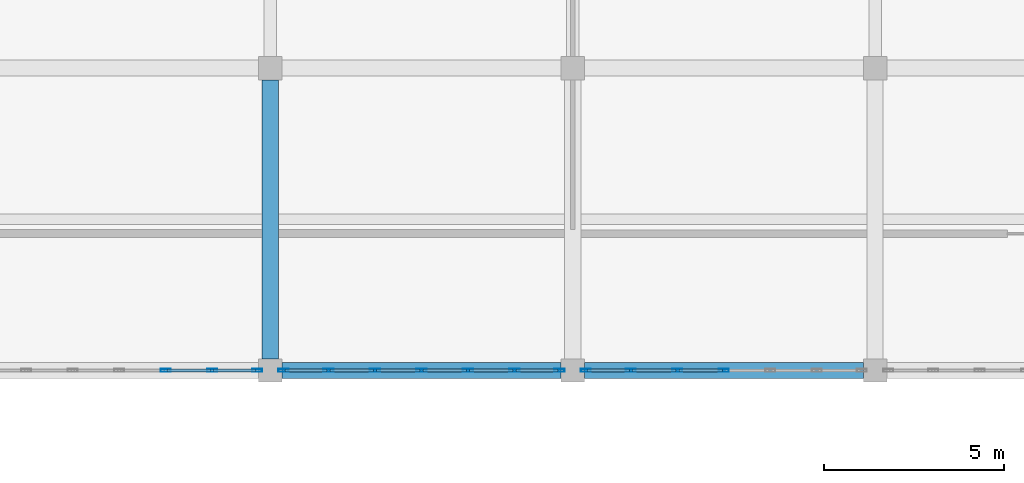
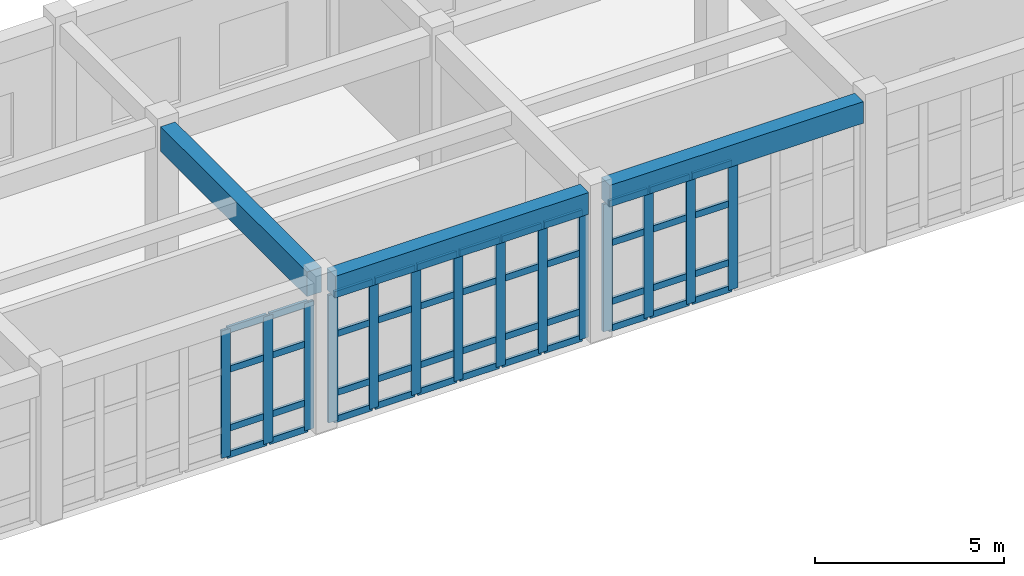
# One storey, part 35 of 80: 58 members, 3 beams, 3 elements without a shape of their own.
"""IFC4 building model written with IfcOpenShell, lengths in metres."""

from ifc_helpers import new_model, si_unit, direction, frame, origin, origin_2d, place, context, subcontext, project, spatial, rectangle, hollow_rectangle, extrude, material, layer, layer_set, material_profile, profile_set, type_object, element, aggregate, save


model = new_model("IFC4")

# Units and contexts
model_context = context("Model", 3, precision=1e-05, world=origin(), true_north=direction((0.0, 1.0)))
body_context = subcontext(model_context, "Body", "Model", "MODEL_VIEW")
ifc_project = project(units=[si_unit("LENGTHUNIT", "METRE"), si_unit("AREAUNIT", "SQUARE_METRE"), si_unit("VOLUMEUNIT", "CUBIC_METRE"), si_unit("PLANEANGLEUNIT", "RADIAN"), si_unit("MASSUNIT", "GRAM", prefix="KILO")], contexts=[model_context])

# Site, building, storey
site_placement = place(None, origin())
site = spatial("IfcSite", under=ifc_project, at=site_placement, CompositionType="ELEMENT")
building_placement = place(site_placement, origin())
building = spatial("IfcBuilding", under=site, at=building_placement, Name="Krzemoval Escarpment Law Courts", CompositionType="ELEMENT")
storey_placement = place(building_placement, origin())
storey = spatial("IfcBuildingStorey", under=building, at=storey_placement, Name="L00", CompositionType="ELEMENT", Elevation=0.0)

# Beams
ifc_material_1 = material(Name="Concrete C40/50", Category="concrete")
ifc_material_profile_1 = material_profile(ifc_material_1, rectangle(XDim=0.449951171875, YDim=0.699951171875, at=origin_2d()), Name="RCB 450x700")
ifc_profile_set_1 = profile_set([ifc_material_profile_1], Name="Concrete C40/50")
beam_type_1 = type_object("IfcBeamType", Name="BM-RC-450x700", PredefinedType="BEAM", material=ifc_profile_set_1)
for number, where, z_axis, x_axis, name in (
    (1, (67.52490234375, 99.60009765625, 4.469970703125), (1.0, 0.0, 0.0), (0.0, 1.0, 0.0), "Beam FG-L00-0749"),
    (2, (75.925048828125, 99.60009765625, 4.469970703125), (1.0, 0.0, 0.0), (0.0, 1.0, 0.0), "Beam FG-L00-0750"),
):
    element("IfcBeam", number, at=place(storey_placement, frame(where, z_axis=z_axis, x_axis=x_axis)), inside=storey, type_object=beam_type_1, Name=name, PredefinedType="BEAM", context=body_context, shape_type="SweptSolid", body=[
        extrude(rectangle(XDim=0.449951171875, YDim=0.699951171875, at=origin_2d()), origin(), (0.0, 0.0, 1.0), 7.75),
    ])
ifc_material_2 = material(Name="Concrete C40/50", Category="concrete")
ifc_material_profile_2 = material_profile(ifc_material_2, rectangle(XDim=0.449951171875, YDim=0.800048828125, at=origin_2d()), Name="RCB 450x800")
ifc_profile_set_2 = profile_set([ifc_material_profile_2], Name="Concrete C40/50")
beam_type_2 = type_object("IfcBeamType", Name="BM-RC-450x800", PredefinedType="BEAM", material=ifc_profile_set_2)
beam_placement = place(storey_placement, frame((67.199951171875, 99.925048828125, 4.419921875), z_axis=(0.0, 1.0, 0.0), x_axis=(-1.0, 0.0, 0.0)))
element("IfcBeam", 3, at=beam_placement, inside=storey, type_object=beam_type_2, Name="Beam FG-L00-0910", PredefinedType="BEAM", context=body_context, shape_type="SweptSolid", body=[
    extrude(rectangle(XDim=0.449951171875, YDim=0.800048828125, at=origin_2d()), origin(), (0.0, 0.0, 1.0), 7.75),
])

# Curtain wall, members
ifc_material_3 = material(Name="Aluminium 6063-T6", Category="aluminium")
ifc_layer = layer(ifc_material_3, 0.280029296875)
ifc_layer_set = layer_set([ifc_layer], Name="Aluminium 6063-T6")
curtain_wall_type = type_object("IfcCurtainWallType", Name="CW-HALL-5100", PredefinedType="USERDEFINED", material=ifc_layer_set)
curtain_wall_1_placement = place(storey_placement, origin())
curtain_wall_1 = element("IfcCurtainWall", 4, at=curtain_wall_1_placement, inside=storey, type_object=curtain_wall_type, Name="Unitised Curtain Wall FCW-L00-010", ObjectType="UNITISED_CURTAIN_WALL", PredefinedType="USERDEFINED")
ifc_material_4 = material(Name="Aluminium 6063-T6", Category="aluminium")
ifc_material_profile_3 = material_profile(ifc_material_4, hollow_rectangle(XDim=0.0849609375, YDim=0.280029296875, WallThickness=0.005615234375, at=origin_2d()), Name="ALU M85x280")
ifc_profile_set_3 = profile_set([ifc_material_profile_3], Name="Aluminium 6063-T6")
member_type_1 = type_object("IfcMemberType", Name="CWM-85x280", PredefinedType="MULLION", material=ifc_profile_set_3)
member_1_placement = place(storey_placement, frame((79.800048828125, 99.60009765625, 0.0), z_axis=(0.0, 0.0, 1.0), x_axis=(0.0, -1.0, 0.0)))
member_1 = element("IfcMember", 5, at=member_1_placement, type_object=member_type_1, Name="FCW-L00-010 mullion 4", PredefinedType="MULLION", context=body_context, shape_type="SweptSolid", body=[
    extrude(hollow_rectangle(XDim=0.0849609375, YDim=0.280029296875, WallThickness=0.005615234375, at=origin_2d()), origin(), (0.0, 0.0, 1.0), 4.1201171875),
])
member_2_placement = place(storey_placement, frame((78.50830078125, 99.60009765625, 0.0), z_axis=(0.0, 0.0, 1.0), x_axis=(0.0, -1.0, 0.0)))
member_2 = element("IfcMember", 6, at=member_2_placement, type_object=member_type_1, Name="FCW-L00-010 mullion 5", PredefinedType="MULLION", context=body_context, shape_type="SweptSolid", body=[
    extrude(hollow_rectangle(XDim=0.0849609375, YDim=0.280029296875, WallThickness=0.005615234375, at=origin_2d()), origin(), (0.0, 0.0, 1.0), 4.1201171875),
])
member_3_placement = place(storey_placement, frame((77.216552734375, 99.60009765625, 0.0), z_axis=(0.0, 0.0, 1.0), x_axis=(0.0, -1.0, 0.0)))
member_3 = element("IfcMember", 7, at=member_3_placement, type_object=member_type_1, Name="FCW-L00-010 mullion 6", PredefinedType="MULLION", context=body_context, shape_type="SweptSolid", body=[
    extrude(hollow_rectangle(XDim=0.0849609375, YDim=0.280029296875, WallThickness=0.005615234375, at=origin_2d()), origin(), (0.0, 0.0, 1.0), 4.1201171875),
])
member_4_placement = place(storey_placement, frame((75.967529296875, 99.60009765625, 0.0), z_axis=(0.0, 0.0, 1.0), x_axis=(0.0, -1.0, 0.0)))
member_4 = element("IfcMember", 8, at=member_4_placement, type_object=member_type_1, Name="FCW-L00-010 mullion 7", PredefinedType="MULLION", context=body_context, shape_type="SweptSolid", body=[
    extrude(hollow_rectangle(XDim=0.0849609375, YDim=0.280029296875, WallThickness=0.005615234375, at=origin_2d()), origin(), (0.0, 0.0, 1.0), 4.1201171875),
])

curtain_wall_2_placement = place(storey_placement, origin())
curtain_wall_2 = element("IfcCurtainWall", 9, at=curtain_wall_2_placement, inside=storey, type_object=curtain_wall_type, Name="Unitised Curtain Wall FCW-L00-011", ObjectType="UNITISED_CURTAIN_WALL", PredefinedType="USERDEFINED")
member_5_placement = place(storey_placement, frame((75.232421875, 99.60009765625, 0.0), z_axis=(0.0, 0.0, 1.0), x_axis=(0.0, -1.0, 0.0)))
member_5 = element("IfcMember", 10, at=member_5_placement, type_object=member_type_1, Name="FCW-L00-011 mullion 1", PredefinedType="MULLION", context=body_context, shape_type="SweptSolid", body=[
    extrude(hollow_rectangle(XDim=0.0849609375, YDim=0.280029296875, WallThickness=0.005615234375, at=origin_2d()), origin(), (0.0, 0.0, 1.0), 4.1201171875),
])
member_6_placement = place(storey_placement, frame((73.9833984375, 99.60009765625, 0.0), z_axis=(0.0, 0.0, 1.0), x_axis=(0.0, -1.0, 0.0)))
member_6 = element("IfcMember", 11, at=member_6_placement, type_object=member_type_1, Name="FCW-L00-011 mullion 2", PredefinedType="MULLION", context=body_context, shape_type="SweptSolid", body=[
    extrude(hollow_rectangle(XDim=0.0849609375, YDim=0.280029296875, WallThickness=0.005615234375, at=origin_2d()), origin(), (0.0, 0.0, 1.0), 4.1201171875),
])
member_7_placement = place(storey_placement, frame((72.691650390625, 99.60009765625, 0.0), z_axis=(0.0, 0.0, 1.0), x_axis=(0.0, -1.0, 0.0)))
member_7 = element("IfcMember", 12, at=member_7_placement, type_object=member_type_1, Name="FCW-L00-011 mullion 3", PredefinedType="MULLION", context=body_context, shape_type="SweptSolid", body=[
    extrude(hollow_rectangle(XDim=0.0849609375, YDim=0.280029296875, WallThickness=0.005615234375, at=origin_2d()), origin(), (0.0, 0.0, 1.0), 4.1201171875),
])
member_8_placement = place(storey_placement, frame((71.39990234375, 99.60009765625, 0.0), z_axis=(0.0, 0.0, 1.0), x_axis=(0.0, -1.0, 0.0)))
member_8 = element("IfcMember", 13, at=member_8_placement, type_object=member_type_1, Name="FCW-L00-011 mullion 4", PredefinedType="MULLION", context=body_context, shape_type="SweptSolid", body=[
    extrude(hollow_rectangle(XDim=0.0849609375, YDim=0.280029296875, WallThickness=0.005615234375, at=origin_2d()), origin(), (0.0, 0.0, 1.0), 4.1201171875),
])
member_9_placement = place(storey_placement, frame((70.1083984375, 99.60009765625, 0.0), z_axis=(0.0, 0.0, 1.0), x_axis=(0.0, -1.0, 0.0)))
member_9 = element("IfcMember", 14, at=member_9_placement, type_object=member_type_1, Name="FCW-L00-011 mullion 5", PredefinedType="MULLION", context=body_context, shape_type="SweptSolid", body=[
    extrude(hollow_rectangle(XDim=0.0849609375, YDim=0.280029296875, WallThickness=0.005615234375, at=origin_2d()), origin(), (0.0, 0.0, 1.0), 4.1201171875),
])
member_10_placement = place(storey_placement, frame((68.816650390625, 99.60009765625, 0.0), z_axis=(0.0, 0.0, 1.0), x_axis=(0.0, -1.0, 0.0)))
member_10 = element("IfcMember", 15, at=member_10_placement, type_object=member_type_1, Name="FCW-L00-011 mullion 6", PredefinedType="MULLION", context=body_context, shape_type="SweptSolid", body=[
    extrude(hollow_rectangle(XDim=0.0849609375, YDim=0.280029296875, WallThickness=0.005615234375, at=origin_2d()), origin(), (0.0, 0.0, 1.0), 4.1201171875),
])
member_11_placement = place(storey_placement, frame((67.5673828125, 99.60009765625, 0.0), z_axis=(0.0, 0.0, 1.0), x_axis=(0.0, -1.0, 0.0)))
member_11 = element("IfcMember", 16, at=member_11_placement, type_object=member_type_1, Name="FCW-L00-011 mullion 7", PredefinedType="MULLION", context=body_context, shape_type="SweptSolid", body=[
    extrude(hollow_rectangle(XDim=0.0849609375, YDim=0.280029296875, WallThickness=0.005615234375, at=origin_2d()), origin(), (0.0, 0.0, 1.0), 4.1201171875),
])

curtain_wall_3_placement = place(storey_placement, origin())
curtain_wall_3 = element("IfcCurtainWall", 17, at=curtain_wall_3_placement, inside=storey, type_object=curtain_wall_type, Name="Unitised Curtain Wall FCW-L00-012", ObjectType="UNITISED_CURTAIN_WALL", PredefinedType="USERDEFINED")
member_12_placement = place(storey_placement, frame((66.83251953125, 99.60009765625, 0.0), z_axis=(0.0, 0.0, 1.0), x_axis=(0.0, -1.0, 0.0)))
member_12 = element("IfcMember", 18, at=member_12_placement, type_object=member_type_1, Name="FCW-L00-012 mullion 1", PredefinedType="MULLION", context=body_context, shape_type="SweptSolid", body=[
    extrude(hollow_rectangle(XDim=0.0849609375, YDim=0.280029296875, WallThickness=0.005615234375, at=origin_2d()), origin(), (0.0, 0.0, 1.0), 4.1201171875),
])
member_13_placement = place(storey_placement, frame((65.583251953125, 99.60009765625, 0.0), z_axis=(0.0, 0.0, 1.0), x_axis=(0.0, -1.0, 0.0)))
member_13 = element("IfcMember", 19, at=member_13_placement, type_object=member_type_1, Name="FCW-L00-012 mullion 2", PredefinedType="MULLION", context=body_context, shape_type="SweptSolid", body=[
    extrude(hollow_rectangle(XDim=0.0849609375, YDim=0.280029296875, WallThickness=0.005615234375, at=origin_2d()), origin(), (0.0, 0.0, 1.0), 4.1201171875),
])
member_14_placement = place(storey_placement, frame((64.291748046875, 99.60009765625, 0.0), z_axis=(0.0, 0.0, 1.0), x_axis=(0.0, -1.0, 0.0)))
member_14 = element("IfcMember", 20, at=member_14_placement, type_object=member_type_1, Name="FCW-L00-012 mullion 3", PredefinedType="MULLION", context=body_context, shape_type="SweptSolid", body=[
    extrude(hollow_rectangle(XDim=0.0849609375, YDim=0.280029296875, WallThickness=0.005615234375, at=origin_2d()), origin(), (0.0, 0.0, 1.0), 4.1201171875),
])

# Member
ifc_material_5 = material(Name="Aluminium 6063-T6", Category="aluminium")
ifc_material_profile_4 = material_profile(ifc_material_5, hollow_rectangle(XDim=0.0849609375, YDim=0.2099609375, WallThickness=0.005615234375, at=origin_2d()), Name="ALU T85x210")
ifc_profile_set_4 = profile_set([ifc_material_profile_4], Name="Aluminium 6063-T6")
member_type_2 = type_object("IfcMemberType", Name="CWT-85x210", PredefinedType="USERDEFINED", material=ifc_profile_set_4)
member_15_placement = place(storey_placement, frame((79.757568359375, 99.60009765625, 0.04248046875), z_axis=(-1.0, 0.0, 0.0), x_axis=(0.0, -1.0, 0.0)))
member_15 = element("IfcMember", 21, at=member_15_placement, type_object=member_type_2, Name="FCW-L00-010 transom 4.1", ObjectType="TRANSOM", PredefinedType="USERDEFINED", context=body_context, shape_type="SweptSolid", body=[
    extrude(hollow_rectangle(XDim=0.0849609375, YDim=0.2099609375, WallThickness=0.005615234375, at=origin_2d()), origin(), (0.0, 0.0, 1.0), 1.206787109375),
])

member_16_placement = place(storey_placement, frame((79.757568359375, 99.60009765625, 0.89990234375), z_axis=(-1.0, 0.0, 0.0), x_axis=(0.0, -1.0, 0.0)))
member_16 = element("IfcMember", 22, at=member_16_placement, type_object=member_type_2, Name="FCW-L00-010 transom 4.2", ObjectType="TRANSOM", PredefinedType="USERDEFINED", context=body_context, shape_type="SweptSolid", body=[
    extrude(hollow_rectangle(XDim=0.0849609375, YDim=0.2099609375, WallThickness=0.005615234375, at=origin_2d()), origin(), (0.0, 0.0, 1.0), 1.206787109375),
])

member_17_placement = place(storey_placement, frame((79.757568359375, 99.60009765625, 2.800048828125), z_axis=(-1.0, 0.0, 0.0), x_axis=(0.0, -1.0, 0.0)))
member_17 = element("IfcMember", 23, at=member_17_placement, type_object=member_type_2, Name="FCW-L00-010 transom 4.3", ObjectType="TRANSOM", PredefinedType="USERDEFINED", context=body_context, shape_type="SweptSolid", body=[
    extrude(hollow_rectangle(XDim=0.0849609375, YDim=0.2099609375, WallThickness=0.005615234375, at=origin_2d()), origin(), (0.0, 0.0, 1.0), 1.206787109375),
])

member_18_placement = place(storey_placement, frame((79.757568359375, 99.60009765625, 4.077392578125), z_axis=(-1.0, 0.0, 0.0), x_axis=(0.0, -1.0, 0.0)))
member_18 = element("IfcMember", 24, at=member_18_placement, type_object=member_type_2, Name="FCW-L00-010 transom 4.4", ObjectType="TRANSOM", PredefinedType="USERDEFINED", context=body_context, shape_type="SweptSolid", body=[
    extrude(hollow_rectangle(XDim=0.0849609375, YDim=0.2099609375, WallThickness=0.005615234375, at=origin_2d()), origin(), (0.0, 0.0, 1.0), 1.206787109375),
])

member_19_placement = place(storey_placement, frame((78.4658203125, 99.60009765625, 0.04248046875), z_axis=(-1.0, 0.0, 0.0), x_axis=(0.0, -1.0, 0.0)))
member_19 = element("IfcMember", 25, at=member_19_placement, type_object=member_type_2, Name="FCW-L00-010 transom 5.1", ObjectType="TRANSOM", PredefinedType="USERDEFINED", context=body_context, shape_type="SweptSolid", body=[
    extrude(hollow_rectangle(XDim=0.0849609375, YDim=0.2099609375, WallThickness=0.005615234375, at=origin_2d()), origin(), (0.0, 0.0, 1.0), 1.20654296875),
])

member_20_placement = place(storey_placement, frame((78.4658203125, 99.60009765625, 0.89990234375), z_axis=(-1.0, 0.0, 0.0), x_axis=(0.0, -1.0, 0.0)))
member_20 = element("IfcMember", 26, at=member_20_placement, type_object=member_type_2, Name="FCW-L00-010 transom 5.2", ObjectType="TRANSOM", PredefinedType="USERDEFINED", context=body_context, shape_type="SweptSolid", body=[
    extrude(hollow_rectangle(XDim=0.0849609375, YDim=0.2099609375, WallThickness=0.005615234375, at=origin_2d()), origin(), (0.0, 0.0, 1.0), 1.20654296875),
])

member_21_placement = place(storey_placement, frame((78.4658203125, 99.60009765625, 2.800048828125), z_axis=(-1.0, 0.0, 0.0), x_axis=(0.0, -1.0, 0.0)))
member_21 = element("IfcMember", 27, at=member_21_placement, type_object=member_type_2, Name="FCW-L00-010 transom 5.3", ObjectType="TRANSOM", PredefinedType="USERDEFINED", context=body_context, shape_type="SweptSolid", body=[
    extrude(hollow_rectangle(XDim=0.0849609375, YDim=0.2099609375, WallThickness=0.005615234375, at=origin_2d()), origin(), (0.0, 0.0, 1.0), 1.20654296875),
])

member_22_placement = place(storey_placement, frame((78.4658203125, 99.60009765625, 4.077392578125), z_axis=(-1.0, 0.0, 0.0), x_axis=(0.0, -1.0, 0.0)))
member_22 = element("IfcMember", 28, at=member_22_placement, type_object=member_type_2, Name="FCW-L00-010 transom 5.4", ObjectType="TRANSOM", PredefinedType="USERDEFINED", context=body_context, shape_type="SweptSolid", body=[
    extrude(hollow_rectangle(XDim=0.0849609375, YDim=0.2099609375, WallThickness=0.005615234375, at=origin_2d()), origin(), (0.0, 0.0, 1.0), 1.20654296875),
])

member_23_placement = place(storey_placement, frame((77.174072265625, 99.60009765625, 0.04248046875), z_axis=(-1.0, 0.0, 0.0), x_axis=(0.0, -1.0, 0.0)))
member_23 = element("IfcMember", 29, at=member_23_placement, type_object=member_type_2, Name="FCW-L00-010 transom 6.1", ObjectType="TRANSOM", PredefinedType="USERDEFINED", context=body_context, shape_type="SweptSolid", body=[
    extrude(hollow_rectangle(XDim=0.0849609375, YDim=0.2099609375, WallThickness=0.005615234375, at=origin_2d()), origin(), (0.0, 0.0, 1.0), 1.1640625),
])

member_24_placement = place(storey_placement, frame((77.174072265625, 99.60009765625, 0.89990234375), z_axis=(-1.0, 0.0, 0.0), x_axis=(0.0, -1.0, 0.0)))
member_24 = element("IfcMember", 30, at=member_24_placement, type_object=member_type_2, Name="FCW-L00-010 transom 6.2", ObjectType="TRANSOM", PredefinedType="USERDEFINED", context=body_context, shape_type="SweptSolid", body=[
    extrude(hollow_rectangle(XDim=0.0849609375, YDim=0.2099609375, WallThickness=0.005615234375, at=origin_2d()), origin(), (0.0, 0.0, 1.0), 1.1640625),
])

member_25_placement = place(storey_placement, frame((77.174072265625, 99.60009765625, 2.800048828125), z_axis=(-1.0, 0.0, 0.0), x_axis=(0.0, -1.0, 0.0)))
member_25 = element("IfcMember", 31, at=member_25_placement, type_object=member_type_2, Name="FCW-L00-010 transom 6.3", ObjectType="TRANSOM", PredefinedType="USERDEFINED", context=body_context, shape_type="SweptSolid", body=[
    extrude(hollow_rectangle(XDim=0.0849609375, YDim=0.2099609375, WallThickness=0.005615234375, at=origin_2d()), origin(), (0.0, 0.0, 1.0), 1.1640625),
])

member_26_placement = place(storey_placement, frame((77.174072265625, 99.60009765625, 4.077392578125), z_axis=(-1.0, 0.0, 0.0), x_axis=(0.0, -1.0, 0.0)))
member_26 = element("IfcMember", 32, at=member_26_placement, type_object=member_type_2, Name="FCW-L00-010 transom 6.4", ObjectType="TRANSOM", PredefinedType="USERDEFINED", context=body_context, shape_type="SweptSolid", body=[
    extrude(hollow_rectangle(XDim=0.0849609375, YDim=0.2099609375, WallThickness=0.005615234375, at=origin_2d()), origin(), (0.0, 0.0, 1.0), 1.1640625),
])

aggregate(curtain_wall_1, [member_1, member_2, member_3, member_4, member_15, member_16, member_17, member_18, member_19, member_20, member_21, member_22, member_23, member_24, member_25, member_26])

member_27_placement = place(storey_placement, frame((75.18994140625, 99.60009765625, 0.04248046875), z_axis=(-1.0, 0.0, 0.0), x_axis=(0.0, -1.0, 0.0)))
member_27 = element("IfcMember", 33, at=member_27_placement, type_object=member_type_2, Name="FCW-L00-011 transom 1.1", ObjectType="TRANSOM", PredefinedType="USERDEFINED", context=body_context, shape_type="SweptSolid", body=[
    extrude(hollow_rectangle(XDim=0.0849609375, YDim=0.2099609375, WallThickness=0.005615234375, at=origin_2d()), origin(), (0.0, 0.0, 1.0), 1.1640625),
])

member_28_placement = place(storey_placement, frame((75.18994140625, 99.60009765625, 0.89990234375), z_axis=(-1.0, 0.0, 0.0), x_axis=(0.0, -1.0, 0.0)))
member_28 = element("IfcMember", 34, at=member_28_placement, type_object=member_type_2, Name="FCW-L00-011 transom 1.2", ObjectType="TRANSOM", PredefinedType="USERDEFINED", context=body_context, shape_type="SweptSolid", body=[
    extrude(hollow_rectangle(XDim=0.0849609375, YDim=0.2099609375, WallThickness=0.005615234375, at=origin_2d()), origin(), (0.0, 0.0, 1.0), 1.1640625),
])

member_29_placement = place(storey_placement, frame((75.18994140625, 99.60009765625, 2.800048828125), z_axis=(-1.0, 0.0, 0.0), x_axis=(0.0, -1.0, 0.0)))
member_29 = element("IfcMember", 35, at=member_29_placement, type_object=member_type_2, Name="FCW-L00-011 transom 1.3", ObjectType="TRANSOM", PredefinedType="USERDEFINED", context=body_context, shape_type="SweptSolid", body=[
    extrude(hollow_rectangle(XDim=0.0849609375, YDim=0.2099609375, WallThickness=0.005615234375, at=origin_2d()), origin(), (0.0, 0.0, 1.0), 1.1640625),
])

member_30_placement = place(storey_placement, frame((75.18994140625, 99.60009765625, 4.077392578125), z_axis=(-1.0, 0.0, 0.0), x_axis=(0.0, -1.0, 0.0)))
member_30 = element("IfcMember", 36, at=member_30_placement, type_object=member_type_2, Name="FCW-L00-011 transom 1.4", ObjectType="TRANSOM", PredefinedType="USERDEFINED", context=body_context, shape_type="SweptSolid", body=[
    extrude(hollow_rectangle(XDim=0.0849609375, YDim=0.2099609375, WallThickness=0.005615234375, at=origin_2d()), origin(), (0.0, 0.0, 1.0), 1.1640625),
])

member_31_placement = place(storey_placement, frame((73.94091796875, 99.60009765625, 0.04248046875), z_axis=(-1.0, 0.0, 0.0), x_axis=(0.0, -1.0, 0.0)))
member_31 = element("IfcMember", 37, at=member_31_placement, type_object=member_type_2, Name="FCW-L00-011 transom 2.1", ObjectType="TRANSOM", PredefinedType="USERDEFINED", context=body_context, shape_type="SweptSolid", body=[
    extrude(hollow_rectangle(XDim=0.0849609375, YDim=0.2099609375, WallThickness=0.005615234375, at=origin_2d()), origin(), (0.0, 0.0, 1.0), 1.206787109375),
])

member_32_placement = place(storey_placement, frame((73.94091796875, 99.60009765625, 0.89990234375), z_axis=(-1.0, 0.0, 0.0), x_axis=(0.0, -1.0, 0.0)))
member_32 = element("IfcMember", 38, at=member_32_placement, type_object=member_type_2, Name="FCW-L00-011 transom 2.2", ObjectType="TRANSOM", PredefinedType="USERDEFINED", context=body_context, shape_type="SweptSolid", body=[
    extrude(hollow_rectangle(XDim=0.0849609375, YDim=0.2099609375, WallThickness=0.005615234375, at=origin_2d()), origin(), (0.0, 0.0, 1.0), 1.206787109375),
])

member_33_placement = place(storey_placement, frame((73.94091796875, 99.60009765625, 2.800048828125), z_axis=(-1.0, 0.0, 0.0), x_axis=(0.0, -1.0, 0.0)))
member_33 = element("IfcMember", 39, at=member_33_placement, type_object=member_type_2, Name="FCW-L00-011 transom 2.3", ObjectType="TRANSOM", PredefinedType="USERDEFINED", context=body_context, shape_type="SweptSolid", body=[
    extrude(hollow_rectangle(XDim=0.0849609375, YDim=0.2099609375, WallThickness=0.005615234375, at=origin_2d()), origin(), (0.0, 0.0, 1.0), 1.206787109375),
])

member_34_placement = place(storey_placement, frame((73.94091796875, 99.60009765625, 4.077392578125), z_axis=(-1.0, 0.0, 0.0), x_axis=(0.0, -1.0, 0.0)))
member_34 = element("IfcMember", 40, at=member_34_placement, type_object=member_type_2, Name="FCW-L00-011 transom 2.4", ObjectType="TRANSOM", PredefinedType="USERDEFINED", context=body_context, shape_type="SweptSolid", body=[
    extrude(hollow_rectangle(XDim=0.0849609375, YDim=0.2099609375, WallThickness=0.005615234375, at=origin_2d()), origin(), (0.0, 0.0, 1.0), 1.206787109375),
])

member_35_placement = place(storey_placement, frame((72.649169921875, 99.60009765625, 0.04248046875), z_axis=(-1.0, 0.0, 0.0), x_axis=(0.0, -1.0, 0.0)))
member_35 = element("IfcMember", 41, at=member_35_placement, type_object=member_type_2, Name="FCW-L00-011 transom 3.1", ObjectType="TRANSOM", PredefinedType="USERDEFINED", context=body_context, shape_type="SweptSolid", body=[
    extrude(hollow_rectangle(XDim=0.0849609375, YDim=0.2099609375, WallThickness=0.005615234375, at=origin_2d()), origin(), (0.0, 0.0, 1.0), 1.206787109375),
])

member_36_placement = place(storey_placement, frame((72.649169921875, 99.60009765625, 0.89990234375), z_axis=(-1.0, 0.0, 0.0), x_axis=(0.0, -1.0, 0.0)))
member_36 = element("IfcMember", 42, at=member_36_placement, type_object=member_type_2, Name="FCW-L00-011 transom 3.2", ObjectType="TRANSOM", PredefinedType="USERDEFINED", context=body_context, shape_type="SweptSolid", body=[
    extrude(hollow_rectangle(XDim=0.0849609375, YDim=0.2099609375, WallThickness=0.005615234375, at=origin_2d()), origin(), (0.0, 0.0, 1.0), 1.206787109375),
])

member_37_placement = place(storey_placement, frame((72.649169921875, 99.60009765625, 2.800048828125), z_axis=(-1.0, 0.0, 0.0), x_axis=(0.0, -1.0, 0.0)))
member_37 = element("IfcMember", 43, at=member_37_placement, type_object=member_type_2, Name="FCW-L00-011 transom 3.3", ObjectType="TRANSOM", PredefinedType="USERDEFINED", context=body_context, shape_type="SweptSolid", body=[
    extrude(hollow_rectangle(XDim=0.0849609375, YDim=0.2099609375, WallThickness=0.005615234375, at=origin_2d()), origin(), (0.0, 0.0, 1.0), 1.206787109375),
])

member_38_placement = place(storey_placement, frame((72.649169921875, 99.60009765625, 4.077392578125), z_axis=(-1.0, 0.0, 0.0), x_axis=(0.0, -1.0, 0.0)))
member_38 = element("IfcMember", 44, at=member_38_placement, type_object=member_type_2, Name="FCW-L00-011 transom 3.4", ObjectType="TRANSOM", PredefinedType="USERDEFINED", context=body_context, shape_type="SweptSolid", body=[
    extrude(hollow_rectangle(XDim=0.0849609375, YDim=0.2099609375, WallThickness=0.005615234375, at=origin_2d()), origin(), (0.0, 0.0, 1.0), 1.206787109375),
])

member_39_placement = place(storey_placement, frame((71.357421875, 99.60009765625, 0.04248046875), z_axis=(-1.0, 0.0, 0.0), x_axis=(0.0, -1.0, 0.0)))
member_39 = element("IfcMember", 45, at=member_39_placement, type_object=member_type_2, Name="FCW-L00-011 transom 4.1", ObjectType="TRANSOM", PredefinedType="USERDEFINED", context=body_context, shape_type="SweptSolid", body=[
    extrude(hollow_rectangle(XDim=0.0849609375, YDim=0.2099609375, WallThickness=0.005615234375, at=origin_2d()), origin(), (0.0, 0.0, 1.0), 1.20654296875),
])

member_40_placement = place(storey_placement, frame((71.357421875, 99.60009765625, 0.89990234375), z_axis=(-1.0, 0.0, 0.0), x_axis=(0.0, -1.0, 0.0)))
member_40 = element("IfcMember", 46, at=member_40_placement, type_object=member_type_2, Name="FCW-L00-011 transom 4.2", ObjectType="TRANSOM", PredefinedType="USERDEFINED", context=body_context, shape_type="SweptSolid", body=[
    extrude(hollow_rectangle(XDim=0.0849609375, YDim=0.2099609375, WallThickness=0.005615234375, at=origin_2d()), origin(), (0.0, 0.0, 1.0), 1.20654296875),
])

member_41_placement = place(storey_placement, frame((71.357421875, 99.60009765625, 2.800048828125), z_axis=(-1.0, 0.0, 0.0), x_axis=(0.0, -1.0, 0.0)))
member_41 = element("IfcMember", 47, at=member_41_placement, type_object=member_type_2, Name="FCW-L00-011 transom 4.3", ObjectType="TRANSOM", PredefinedType="USERDEFINED", context=body_context, shape_type="SweptSolid", body=[
    extrude(hollow_rectangle(XDim=0.0849609375, YDim=0.2099609375, WallThickness=0.005615234375, at=origin_2d()), origin(), (0.0, 0.0, 1.0), 1.20654296875),
])

member_42_placement = place(storey_placement, frame((71.357421875, 99.60009765625, 4.077392578125), z_axis=(-1.0, 0.0, 0.0), x_axis=(0.0, -1.0, 0.0)))
member_42 = element("IfcMember", 48, at=member_42_placement, type_object=member_type_2, Name="FCW-L00-011 transom 4.4", ObjectType="TRANSOM", PredefinedType="USERDEFINED", context=body_context, shape_type="SweptSolid", body=[
    extrude(hollow_rectangle(XDim=0.0849609375, YDim=0.2099609375, WallThickness=0.005615234375, at=origin_2d()), origin(), (0.0, 0.0, 1.0), 1.20654296875),
])

member_43_placement = place(storey_placement, frame((70.06591796875, 99.60009765625, 0.04248046875), z_axis=(-1.0, 0.0, 0.0), x_axis=(0.0, -1.0, 0.0)))
member_43 = element("IfcMember", 49, at=member_43_placement, type_object=member_type_2, Name="FCW-L00-011 transom 5.1", ObjectType="TRANSOM", PredefinedType="USERDEFINED", context=body_context, shape_type="SweptSolid", body=[
    extrude(hollow_rectangle(XDim=0.0849609375, YDim=0.2099609375, WallThickness=0.005615234375, at=origin_2d()), origin(), (0.0, 0.0, 1.0), 1.206787109375),
])

member_44_placement = place(storey_placement, frame((70.06591796875, 99.60009765625, 0.89990234375), z_axis=(-1.0, 0.0, 0.0), x_axis=(0.0, -1.0, 0.0)))
member_44 = element("IfcMember", 50, at=member_44_placement, type_object=member_type_2, Name="FCW-L00-011 transom 5.2", ObjectType="TRANSOM", PredefinedType="USERDEFINED", context=body_context, shape_type="SweptSolid", body=[
    extrude(hollow_rectangle(XDim=0.0849609375, YDim=0.2099609375, WallThickness=0.005615234375, at=origin_2d()), origin(), (0.0, 0.0, 1.0), 1.206787109375),
])

member_45_placement = place(storey_placement, frame((70.06591796875, 99.60009765625, 2.800048828125), z_axis=(-1.0, 0.0, 0.0), x_axis=(0.0, -1.0, 0.0)))
member_45 = element("IfcMember", 51, at=member_45_placement, type_object=member_type_2, Name="FCW-L00-011 transom 5.3", ObjectType="TRANSOM", PredefinedType="USERDEFINED", context=body_context, shape_type="SweptSolid", body=[
    extrude(hollow_rectangle(XDim=0.0849609375, YDim=0.2099609375, WallThickness=0.005615234375, at=origin_2d()), origin(), (0.0, 0.0, 1.0), 1.206787109375),
])

member_46_placement = place(storey_placement, frame((70.06591796875, 99.60009765625, 4.077392578125), z_axis=(-1.0, 0.0, 0.0), x_axis=(0.0, -1.0, 0.0)))
member_46 = element("IfcMember", 52, at=member_46_placement, type_object=member_type_2, Name="FCW-L00-011 transom 5.4", ObjectType="TRANSOM", PredefinedType="USERDEFINED", context=body_context, shape_type="SweptSolid", body=[
    extrude(hollow_rectangle(XDim=0.0849609375, YDim=0.2099609375, WallThickness=0.005615234375, at=origin_2d()), origin(), (0.0, 0.0, 1.0), 1.206787109375),
])

member_47_placement = place(storey_placement, frame((68.774169921875, 99.60009765625, 0.04248046875), z_axis=(-1.0, 0.0, 0.0), x_axis=(0.0, -1.0, 0.0)))
member_47 = element("IfcMember", 53, at=member_47_placement, type_object=member_type_2, Name="FCW-L00-011 transom 6.1", ObjectType="TRANSOM", PredefinedType="USERDEFINED", context=body_context, shape_type="SweptSolid", body=[
    extrude(hollow_rectangle(XDim=0.0849609375, YDim=0.2099609375, WallThickness=0.005615234375, at=origin_2d()), origin(), (0.0, 0.0, 1.0), 1.1640625),
])

member_48_placement = place(storey_placement, frame((68.774169921875, 99.60009765625, 0.89990234375), z_axis=(-1.0, 0.0, 0.0), x_axis=(0.0, -1.0, 0.0)))
member_48 = element("IfcMember", 54, at=member_48_placement, type_object=member_type_2, Name="FCW-L00-011 transom 6.2", ObjectType="TRANSOM", PredefinedType="USERDEFINED", context=body_context, shape_type="SweptSolid", body=[
    extrude(hollow_rectangle(XDim=0.0849609375, YDim=0.2099609375, WallThickness=0.005615234375, at=origin_2d()), origin(), (0.0, 0.0, 1.0), 1.1640625),
])

member_49_placement = place(storey_placement, frame((68.774169921875, 99.60009765625, 2.800048828125), z_axis=(-1.0, 0.0, 0.0), x_axis=(0.0, -1.0, 0.0)))
member_49 = element("IfcMember", 55, at=member_49_placement, type_object=member_type_2, Name="FCW-L00-011 transom 6.3", ObjectType="TRANSOM", PredefinedType="USERDEFINED", context=body_context, shape_type="SweptSolid", body=[
    extrude(hollow_rectangle(XDim=0.0849609375, YDim=0.2099609375, WallThickness=0.005615234375, at=origin_2d()), origin(), (0.0, 0.0, 1.0), 1.1640625),
])

member_50_placement = place(storey_placement, frame((68.774169921875, 99.60009765625, 4.077392578125), z_axis=(-1.0, 0.0, 0.0), x_axis=(0.0, -1.0, 0.0)))
member_50 = element("IfcMember", 56, at=member_50_placement, type_object=member_type_2, Name="FCW-L00-011 transom 6.4", ObjectType="TRANSOM", PredefinedType="USERDEFINED", context=body_context, shape_type="SweptSolid", body=[
    extrude(hollow_rectangle(XDim=0.0849609375, YDim=0.2099609375, WallThickness=0.005615234375, at=origin_2d()), origin(), (0.0, 0.0, 1.0), 1.1640625),
])

aggregate(curtain_wall_2, [member_5, member_6, member_7, member_8, member_9, member_10, member_11, member_27, member_28, member_29, member_30, member_31, member_32, member_33, member_34, member_35, member_36, member_37, member_38, member_39, member_40, member_41, member_42, member_43, member_44, member_45, member_46, member_47, member_48, member_49, member_50])

member_51_placement = place(storey_placement, frame((66.7900390625, 99.60009765625, 0.04248046875), z_axis=(-1.0, 0.0, 0.0), x_axis=(0.0, -1.0, 0.0)))
member_51 = element("IfcMember", 57, at=member_51_placement, type_object=member_type_2, Name="FCW-L00-012 transom 1.1", ObjectType="TRANSOM", PredefinedType="USERDEFINED", context=body_context, shape_type="SweptSolid", body=[
    extrude(hollow_rectangle(XDim=0.0849609375, YDim=0.2099609375, WallThickness=0.005615234375, at=origin_2d()), origin(), (0.0, 0.0, 1.0), 1.164306640625),
])

member_52_placement = place(storey_placement, frame((66.7900390625, 99.60009765625, 0.89990234375), z_axis=(-1.0, 0.0, 0.0), x_axis=(0.0, -1.0, 0.0)))
member_52 = element("IfcMember", 58, at=member_52_placement, type_object=member_type_2, Name="FCW-L00-012 transom 1.2", ObjectType="TRANSOM", PredefinedType="USERDEFINED", context=body_context, shape_type="SweptSolid", body=[
    extrude(hollow_rectangle(XDim=0.0849609375, YDim=0.2099609375, WallThickness=0.005615234375, at=origin_2d()), origin(), (0.0, 0.0, 1.0), 1.164306640625),
])

member_53_placement = place(storey_placement, frame((66.7900390625, 99.60009765625, 2.800048828125), z_axis=(-1.0, 0.0, 0.0), x_axis=(0.0, -1.0, 0.0)))
member_53 = element("IfcMember", 59, at=member_53_placement, type_object=member_type_2, Name="FCW-L00-012 transom 1.3", ObjectType="TRANSOM", PredefinedType="USERDEFINED", context=body_context, shape_type="SweptSolid", body=[
    extrude(hollow_rectangle(XDim=0.0849609375, YDim=0.2099609375, WallThickness=0.005615234375, at=origin_2d()), origin(), (0.0, 0.0, 1.0), 1.164306640625),
])

member_54_placement = place(storey_placement, frame((66.7900390625, 99.60009765625, 4.077392578125), z_axis=(-1.0, 0.0, 0.0), x_axis=(0.0, -1.0, 0.0)))
member_54 = element("IfcMember", 60, at=member_54_placement, type_object=member_type_2, Name="FCW-L00-012 transom 1.4", ObjectType="TRANSOM", PredefinedType="USERDEFINED", context=body_context, shape_type="SweptSolid", body=[
    extrude(hollow_rectangle(XDim=0.0849609375, YDim=0.2099609375, WallThickness=0.005615234375, at=origin_2d()), origin(), (0.0, 0.0, 1.0), 1.164306640625),
])

member_55_placement = place(storey_placement, frame((65.540771484375, 99.60009765625, 0.04248046875), z_axis=(-1.0, 0.0, 0.0), x_axis=(0.0, -1.0, 0.0)))
member_55 = element("IfcMember", 61, at=member_55_placement, type_object=member_type_2, Name="FCW-L00-012 transom 2.1", ObjectType="TRANSOM", PredefinedType="USERDEFINED", context=body_context, shape_type="SweptSolid", body=[
    extrude(hollow_rectangle(XDim=0.0849609375, YDim=0.2099609375, WallThickness=0.005615234375, at=origin_2d()), origin(), (0.0, 0.0, 1.0), 1.20654296875),
])

member_56_placement = place(storey_placement, frame((65.540771484375, 99.60009765625, 0.89990234375), z_axis=(-1.0, 0.0, 0.0), x_axis=(0.0, -1.0, 0.0)))
member_56 = element("IfcMember", 62, at=member_56_placement, type_object=member_type_2, Name="FCW-L00-012 transom 2.2", ObjectType="TRANSOM", PredefinedType="USERDEFINED", context=body_context, shape_type="SweptSolid", body=[
    extrude(hollow_rectangle(XDim=0.0849609375, YDim=0.2099609375, WallThickness=0.005615234375, at=origin_2d()), origin(), (0.0, 0.0, 1.0), 1.20654296875),
])

member_57_placement = place(storey_placement, frame((65.540771484375, 99.60009765625, 2.800048828125), z_axis=(-1.0, 0.0, 0.0), x_axis=(0.0, -1.0, 0.0)))
member_57 = element("IfcMember", 63, at=member_57_placement, type_object=member_type_2, Name="FCW-L00-012 transom 2.3", ObjectType="TRANSOM", PredefinedType="USERDEFINED", context=body_context, shape_type="SweptSolid", body=[
    extrude(hollow_rectangle(XDim=0.0849609375, YDim=0.2099609375, WallThickness=0.005615234375, at=origin_2d()), origin(), (0.0, 0.0, 1.0), 1.20654296875),
])

member_58_placement = place(storey_placement, frame((65.540771484375, 99.60009765625, 4.077392578125), z_axis=(-1.0, 0.0, 0.0), x_axis=(0.0, -1.0, 0.0)))
member_58 = element("IfcMember", 64, at=member_58_placement, type_object=member_type_2, Name="FCW-L00-012 transom 2.4", ObjectType="TRANSOM", PredefinedType="USERDEFINED", context=body_context, shape_type="SweptSolid", body=[
    extrude(hollow_rectangle(XDim=0.0849609375, YDim=0.2099609375, WallThickness=0.005615234375, at=origin_2d()), origin(), (0.0, 0.0, 1.0), 1.20654296875),
])

aggregate(curtain_wall_3, [member_12, member_13, member_14, member_51, member_52, member_53, member_54, member_55, member_56, member_57, member_58])

save(model, "model.ifc")
